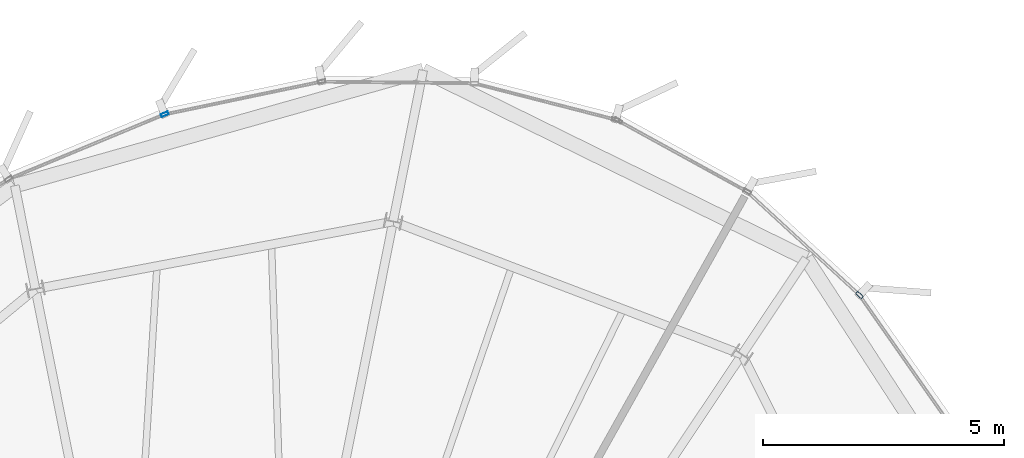
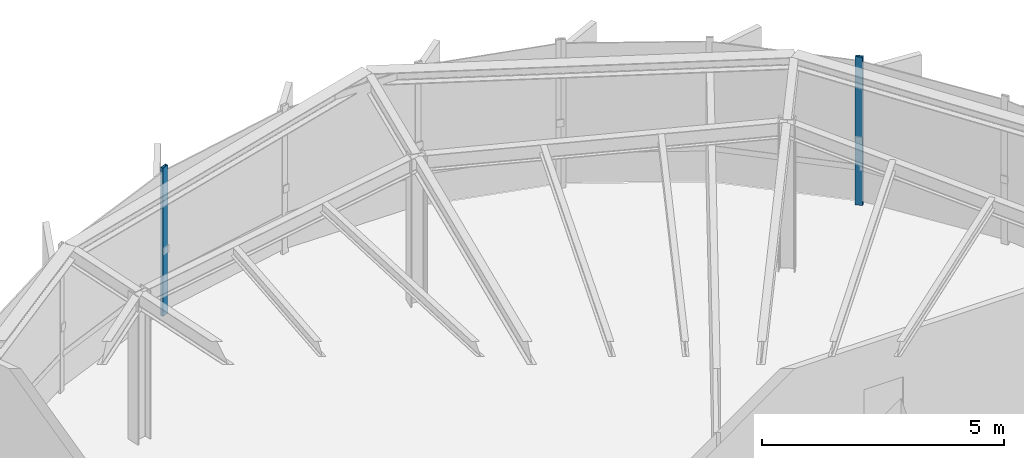
# One storey, part 17 of 27: 2 members, 2 elements without a shape of their own.
"""IFC4 building model written with IfcOpenShell, lengths in metres."""

from ifc_helpers import new_model, si_unit, direction, frame, origin, origin_2d, place, context, subcontext, project, spatial, hollow_rectangle, extrude, source, transform, mapped, material, layer, layer_set, material_profile, profile_set, type_object, element, aggregate, save


model = new_model("IFC4")

# Units and contexts
model_context = context("Model", 3, precision=1e-05, world=origin(), true_north=direction((0.0, 1.0)))
body_context = subcontext(model_context, "Body", "Model", "MODEL_VIEW")
ifc_project = project(units=[si_unit("LENGTHUNIT", "METRE"), si_unit("AREAUNIT", "SQUARE_METRE"), si_unit("VOLUMEUNIT", "CUBIC_METRE"), si_unit("PLANEANGLEUNIT", "RADIAN"), si_unit("MASSUNIT", "GRAM", prefix="KILO"), si_unit("THERMODYNAMICTEMPERATUREUNIT", "KELVIN")], contexts=[model_context])

# Site, building, storey
site_placement = place(None, origin())
site = spatial("IfcSite", under=ifc_project, at=site_placement, CompositionType="ELEMENT")
building_placement = place(site_placement, origin())
building = spatial("IfcBuilding", under=site, at=building_placement, Name="Kethvar Cultural Tower", CompositionType="ELEMENT")
storey_placement = place(building_placement, frame((0.0, 0.0, 308.300048828125)))
storey = spatial("IfcBuildingStorey", under=building, at=storey_placement, Name="L82", CompositionType="ELEMENT", Elevation=308.300048828125)

# Curtain wall, member
ifc_material = material(Name="Aluminium 6063-T6", Category="aluminium")
ifc_layer = layer(ifc_material, 0.179931640625, Name="Aluminium 6063-T6", Category="aluminium")
ifc_layer_set = layer_set([ifc_layer], Name="Aluminium 6063-T6 (180 mm)")
curtain_wall_type = type_object("IfcCurtainWallType", Name="CW-SYS-06-CROWN", PredefinedType="NOTDEFINED", material=ifc_layer_set)
curtain_wall_1_placement = place(storey_placement, origin())
curtain_wall_1 = element("IfcCurtainWall", 1, at=curtain_wall_1_placement, inside=storey, type_object=curtain_wall_type, Name="L82 Curtain Wall Run 01", PredefinedType="NOTDEFINED")
ifc_material_profile = material_profile(ifc_material, hollow_rectangle(XDim=0.06494140625, YDim=0.159912109375, WallThickness=0.0048828125, at=origin_2d()), Name="Aluminium 6063-T6 — RHS160x65x5")
ifc_profile_set = profile_set([ifc_material_profile], Name="Aluminium 6063-T6 — RHS160x65x5")
member_type = type_object("IfcMemberType", Name="CW-SYS-06-CROWN-MUL", PredefinedType="MULLION", material=ifc_profile_set)
shared_shape = source(origin(), body_context, "Body", "SweptSolid", [
    extrude(hollow_rectangle(XDim=0.06494140625, YDim=0.159912109375, WallThickness=0.0048828125, at=origin_2d()), origin(), (0.0, 0.0, 1.0), 3.73486328125),
])
member_1_placement = place(storey_placement, frame((45.9130859375, 49.353515625, 0.0), z_axis=(0.0, 0.0, 1.0), x_axis=(0.383570116599, -0.923511757181, 0.0)))
member_1 = element("IfcMember", 2, at=member_1_placement, type_object=member_type, Name="CW-L82-R01 Mullion 4", PredefinedType="MULLION", context=body_context, shape_type="MappedRepresentation", body=[
    mapped(shared_shape, transform((0.0, 0.0, 0.0), scale=1.0)),
])
aggregate(curtain_wall_1, [member_1])

curtain_wall_2_placement = place(storey_placement, origin())
curtain_wall_2 = element("IfcCurtainWall", 3, at=curtain_wall_2_placement, inside=storey, type_object=curtain_wall_type, Name="L82 Curtain Wall Run 06", PredefinedType="NOTDEFINED")
member_2_placement = place(storey_placement, frame((60.3095703125, 45.60693359375, 0.0), z_axis=(0.0, 0.0, 1.0), x_axis=(-0.676991587192, -0.73599075461, 0.0)))
member_2 = element("IfcMember", 4, at=member_2_placement, type_object=member_type, Name="CW-L82-R06 Mullion 5", PredefinedType="MULLION", context=body_context, shape_type="MappedRepresentation", body=[
    mapped(shared_shape, transform((0.0, 0.0, 0.0), scale=1.0)),
])
aggregate(curtain_wall_2, [member_2])

save(model, "model.ifc")
